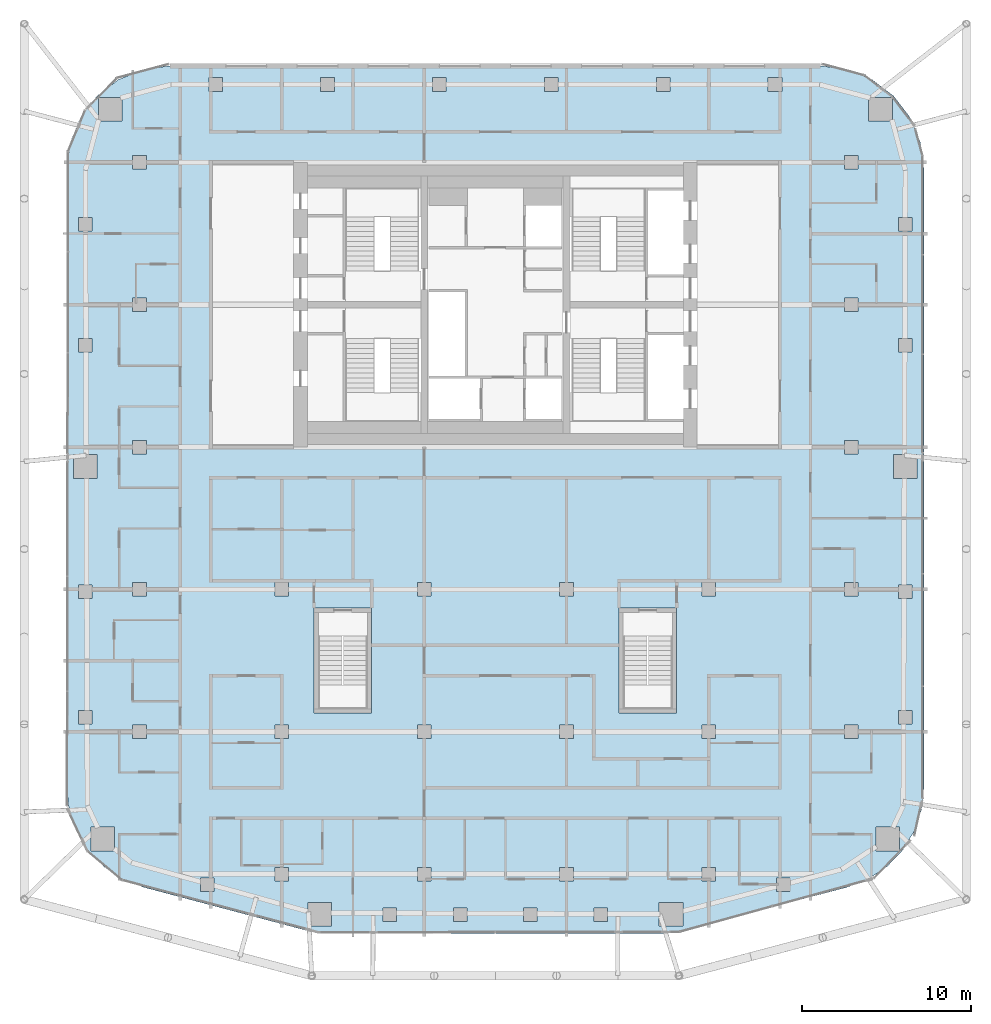
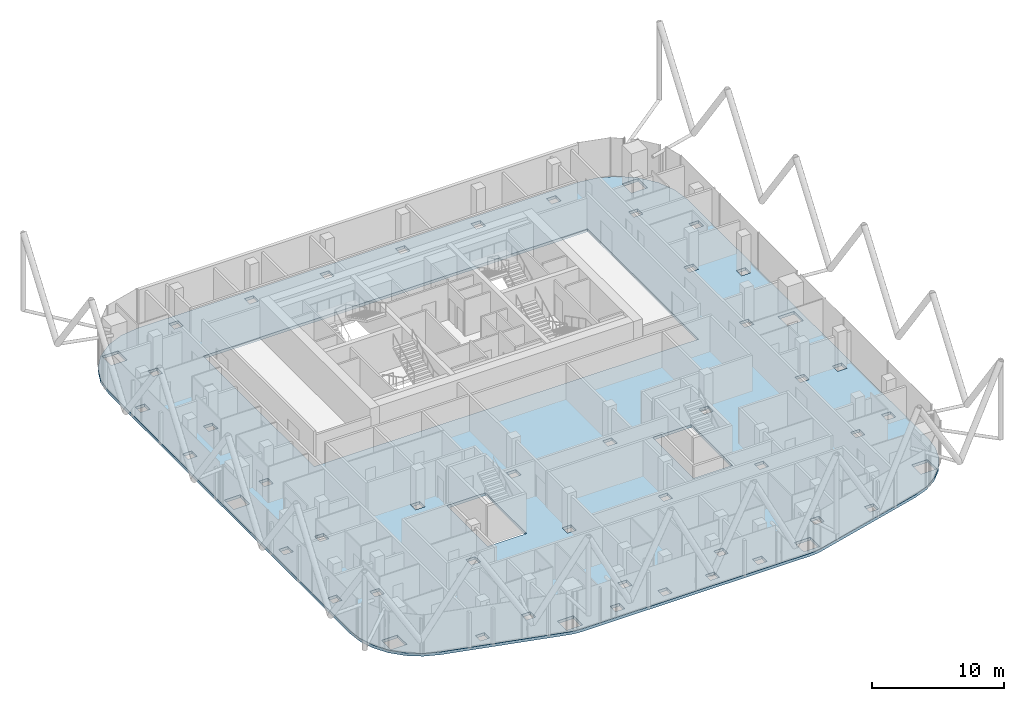
# One storey, part 17 of 31: 1 slab.
"""IFC4 building model written with IfcOpenShell, lengths in metres."""

from ifc_helpers import new_model, si_unit, direction, frame, origin, place, context, subcontext, project, spatial, polyline, outline, extrude, material, layer, layer_set, type_object, element, save


model = new_model("IFC4")

# Units and contexts
model_context = context("Model", 3, precision=1e-05, world=origin(), true_north=direction((0.0, 1.0)))
body_context = subcontext(model_context, "Body", "Model", "MODEL_VIEW")
ifc_project = project(units=[si_unit("LENGTHUNIT", "METRE"), si_unit("AREAUNIT", "SQUARE_METRE"), si_unit("VOLUMEUNIT", "CUBIC_METRE"), si_unit("PLANEANGLEUNIT", "RADIAN"), si_unit("MASSUNIT", "GRAM", prefix="KILO")], contexts=[model_context])

# Site, building, storey
site_placement = place(None, origin())
site = spatial("IfcSite", under=ifc_project, at=site_placement, CompositionType="ELEMENT")
building_placement = place(site_placement, origin())
building = spatial("IfcBuilding", under=site, at=building_placement, Name="Marenta Gate Hotel Tower", CompositionType="ELEMENT")
storey_placement = place(building_placement, frame((0.0, 0.0, 205.699951171875)))
storey = spatial("IfcBuildingStorey", under=building, at=storey_placement, Name="L47", CompositionType="ELEMENT", Elevation=205.699951171875)

# Slab
ifc_material = material(Name="Concrete C35", Category="concrete")
ifc_layer = layer(ifc_material, 0.260009765625)
ifc_layer_set = layer_set([ifc_layer], Name="Concrete C35")
slab_type = type_object("IfcSlabType", Name="Concrete floor slab 260", PredefinedType="FLOOR", material=ifc_layer_set)
slab_placement = place(storey_placement, frame((0.0, 0.0, -0.260009765625)))
element("IfcSlab", 1, at=slab_placement, inside=storey, type_object=slab_type, Name="L47-SL-1", PredefinedType="FLOOR", context=body_context, shape_type="SweptSolid", body=[
    extrude(outline(polyline([(-23.11376953125, -24.76416015625), (-24.035400390625, -23.803955078125), (-24.72705078125, -22.6669921875), (-25.155517578125, -21.4072265625), (-25.300048828125, -20.08984375), (-25.300048828125, 16.406494140625), (-25.093017578125, 17.97900390625), (-24.483642578125, 19.450439453125), (-23.513916015625, 20.7138671875), (-22.25048828125, 21.68359375), (-20.779052734375, 22.29296875), (-19.20654296875, 22.5), (19.20654296875, 22.5), (20.779052734375, 22.29296875), (22.25048828125, 21.68359375), (23.513916015625, 20.7138671875), (24.483642578125, 19.450439453125), (25.093017578125, 17.97900390625), (25.300048828125, 16.406494140625), (25.300048828125, -20.08984375), (25.155517578125, -21.4072265625), (24.72705078125, -22.6669921875), (24.035400390625, -23.803955078125), (23.11376953125, -24.76416015625), (22.005859375, -25.501220703125), (20.76953125, -25.978759765625), (11.026611328125, -28.563720703125), (10.508544921875, -28.665771484375), (9.981689453125, -28.699951171875), (-9.981689453125, -28.699951171875), (-10.508544921875, -28.665771484375), (-11.026611328125, -28.563720703125), (-20.76953125, -25.978759765625), (-22.005859375, -25.501220703125), (-23.11376953125, -24.76416015625)]), holes=[polyline([(-16.800048828125, 0.0), (16.800048828125, 0.0), (16.800048828125, 16.800048828125), (-16.800048828125, 16.800048828125), (-16.800048828125, 0.0)]), polyline([(-16.606689453125, -25.439208984375), (-17.40673828125, -25.439208984375), (-17.40673828125, -26.239013671875), (-16.606689453125, -26.239013671875), (-16.606689453125, -25.439208984375)]), polyline([(-12.199951171875, -25.60009765625), (-12.199951171875, -24.800048828125), (-13.0, -24.800048828125), (-13.0, -25.60009765625), (-12.199951171875, -25.60009765625)]), polyline([(-22.462890625, -23.8330078125), (-22.462890625, -22.43310546875), (-23.863037109375, -22.43310546875), (-23.863037109375, -23.8330078125), (-22.462890625, -23.8330078125)]), polyline([(-12.199951171875, -16.39990234375), (-13.0, -16.39990234375), (-13.0, -17.199951171875), (-12.199951171875, -17.199951171875), (-12.199951171875, -16.39990234375)]), polyline([(-20.60009765625, -17.199951171875), (-20.60009765625, -16.39990234375), (-21.39990234375, -16.39990234375), (-21.39990234375, -17.199951171875), (-20.60009765625, -17.199951171875)]), polyline([(-23.800048828125, -16.351806640625), (-23.800048828125, -15.552001953125), (-24.60009765625, -15.552001953125), (-24.60009765625, -16.351806640625), (-23.800048828125, -16.351806640625)]), polyline([(-23.800048828125, -8.15087890625), (-24.60009765625, -8.15087890625), (-24.60009765625, -8.950927734375), (-23.800048828125, -8.950927734375), (-23.800048828125, -8.15087890625)]), polyline([(-12.199951171875, -8.800048828125), (-12.199951171875, -8.0), (-13.0, -8.0), (-13.0, -8.800048828125), (-12.199951171875, -8.800048828125)]), polyline([(-20.60009765625, -8.800048828125), (-20.60009765625, -8.0), (-21.39990234375, -8.0), (-21.39990234375, -8.800048828125), (-20.60009765625, -8.800048828125)]), polyline([(-23.5, -0.449951171875), (-24.89990234375, -0.449951171875), (-24.89990234375, -1.85009765625), (-23.5, -1.85009765625), (-23.5, -0.449951171875)]), polyline([(-20.60009765625, -0.39990234375), (-20.60009765625, 0.39990234375), (-21.39990234375, 0.39990234375), (-21.39990234375, -0.39990234375), (-20.60009765625, -0.39990234375)]), polyline([(-23.800048828125, 5.603271484375), (-23.800048828125, 6.4033203125), (-24.60009765625, 6.4033203125), (-24.60009765625, 5.603271484375), (-23.800048828125, 5.603271484375)]), polyline([(-20.60009765625, 8.800048828125), (-21.39990234375, 8.800048828125), (-21.39990234375, 8.0), (-20.60009765625, 8.0), (-20.60009765625, 8.800048828125)]), polyline([(-23.800048828125, 12.75634765625), (-23.800048828125, 13.556396484375), (-24.60009765625, 13.556396484375), (-24.60009765625, 12.75634765625), (-23.800048828125, 12.75634765625)]), polyline([(-20.60009765625, 16.39990234375), (-20.60009765625, 17.199951171875), (-21.39990234375, 17.199951171875), (-21.39990234375, 16.39990234375), (-20.60009765625, 16.39990234375)]), polyline([(-22.035400390625, 20.635498046875), (-23.435546875, 20.635498046875), (-23.435546875, 19.235595703125), (-22.035400390625, 19.235595703125), (-22.035400390625, 20.635498046875)]), polyline([(-16.10693359375, 21.0), (-16.10693359375, 21.800048828125), (-16.906982421875, 21.800048828125), (-16.906982421875, 21.0), (-16.10693359375, 21.0)]), polyline([(-5.820068359375, -28.0), (-5.820068359375, -27.199951171875), (-6.6201171875, -27.199951171875), (-6.6201171875, -28.0), (-5.820068359375, -28.0)]), polyline([(6.6201171875, -27.199951171875), (5.820068359375, -27.199951171875), (5.820068359375, -28.0), (6.6201171875, -28.0), (6.6201171875, -27.199951171875)]), polyline([(2.473388671875, -28.0), (2.473388671875, -27.199951171875), (1.67333984375, -27.199951171875), (1.67333984375, -28.0), (2.473388671875, -28.0)]), polyline([(-1.67333984375, -28.0), (-1.67333984375, -27.199951171875), (-2.473388671875, -27.199951171875), (-2.473388671875, -28.0), (-1.67333984375, -28.0)]), polyline([(-9.666259765625, -28.27490234375), (-9.666259765625, -26.874755859375), (-11.06640625, -26.874755859375), (-11.06640625, -28.27490234375), (-9.666259765625, -28.27490234375)]), polyline([(11.06640625, -28.27490234375), (11.06640625, -26.874755859375), (9.666259765625, -26.874755859375), (9.666259765625, -28.27490234375), (11.06640625, -28.27490234375)]), polyline([(13.0, -25.60009765625), (13.0, -24.800048828125), (12.199951171875, -24.800048828125), (12.199951171875, -25.60009765625), (13.0, -25.60009765625)]), polyline([(4.60009765625, -25.60009765625), (4.60009765625, -24.800048828125), (3.800048828125, -24.800048828125), (3.800048828125, -25.60009765625), (4.60009765625, -25.60009765625)]), polyline([(-3.800048828125, -24.800048828125), (-4.60009765625, -24.800048828125), (-4.60009765625, -25.60009765625), (-3.800048828125, -25.60009765625), (-3.800048828125, -24.800048828125)]), polyline([(4.60009765625, -17.199951171875), (4.60009765625, -16.39990234375), (3.800048828125, -16.39990234375), (3.800048828125, -17.199951171875), (4.60009765625, -17.199951171875)]), polyline([(-3.800048828125, -17.199951171875), (-3.800048828125, -16.39990234375), (-4.60009765625, -16.39990234375), (-4.60009765625, -17.199951171875), (-3.800048828125, -17.199951171875)]), polyline([(4.60009765625, -8.0), (3.800048828125, -8.0), (3.800048828125, -8.800048828125), (4.60009765625, -8.800048828125), (4.60009765625, -8.0)]), polyline([(-3.800048828125, -8.800048828125), (-3.800048828125, -8.0), (-4.60009765625, -8.0), (-4.60009765625, -8.800048828125), (-3.800048828125, -8.800048828125)]), polyline([(-2.9013671875, 21.0), (-2.9013671875, 21.800048828125), (-3.701416015625, 21.800048828125), (-3.701416015625, 21.0), (-2.9013671875, 21.0)]), polyline([(3.701416015625, 21.800048828125), (2.9013671875, 21.800048828125), (2.9013671875, 21.0), (3.701416015625, 21.0), (3.701416015625, 21.800048828125)]), polyline([(10.30419921875, 21.0), (10.30419921875, 21.800048828125), (9.504150390625, 21.800048828125), (9.504150390625, 21.0), (10.30419921875, 21.0)]), polyline([(-9.504150390625, 21.0), (-9.504150390625, 21.800048828125), (-10.30419921875, 21.800048828125), (-10.30419921875, 21.0), (-9.504150390625, 21.0)]), polyline([(17.40673828125, -25.439208984375), (16.606689453125, -25.439208984375), (16.606689453125, -26.239013671875), (17.40673828125, -26.239013671875), (17.40673828125, -25.439208984375)]), polyline([(23.863037109375, -23.8330078125), (23.863037109375, -22.43310546875), (22.462890625, -22.43310546875), (22.462890625, -23.8330078125), (23.863037109375, -23.8330078125)]), polyline([(13.0, -17.199951171875), (13.0, -16.39990234375), (12.199951171875, -16.39990234375), (12.199951171875, -17.199951171875), (13.0, -17.199951171875)]), polyline([(21.39990234375, -16.39990234375), (20.60009765625, -16.39990234375), (20.60009765625, -17.199951171875), (21.39990234375, -17.199951171875), (21.39990234375, -16.39990234375)]), polyline([(24.60009765625, -16.351806640625), (24.60009765625, -15.552001953125), (23.800048828125, -15.552001953125), (23.800048828125, -16.351806640625), (24.60009765625, -16.351806640625)]), polyline([(24.60009765625, -8.950927734375), (24.60009765625, -8.15087890625), (23.800048828125, -8.15087890625), (23.800048828125, -8.950927734375), (24.60009765625, -8.950927734375)]), polyline([(13.0, -8.0), (12.199951171875, -8.0), (12.199951171875, -8.800048828125), (13.0, -8.800048828125), (13.0, -8.0)]), polyline([(21.39990234375, -8.800048828125), (21.39990234375, -8.0), (20.60009765625, -8.0), (20.60009765625, -8.800048828125), (21.39990234375, -8.800048828125)]), polyline([(24.89990234375, -1.85009765625), (24.89990234375, -0.449951171875), (23.5, -0.449951171875), (23.5, -1.85009765625), (24.89990234375, -1.85009765625)]), polyline([(21.39990234375, 0.39990234375), (20.60009765625, 0.39990234375), (20.60009765625, -0.39990234375), (21.39990234375, -0.39990234375), (21.39990234375, 0.39990234375)]), polyline([(24.60009765625, 5.603271484375), (24.60009765625, 6.4033203125), (23.800048828125, 6.4033203125), (23.800048828125, 5.603271484375), (24.60009765625, 5.603271484375)]), polyline([(21.39990234375, 8.0), (21.39990234375, 8.800048828125), (20.60009765625, 8.800048828125), (20.60009765625, 8.0), (21.39990234375, 8.0)]), polyline([(24.60009765625, 12.75634765625), (24.60009765625, 13.556396484375), (23.800048828125, 13.556396484375), (23.800048828125, 12.75634765625), (24.60009765625, 12.75634765625)]), polyline([(21.39990234375, 16.39990234375), (21.39990234375, 17.199951171875), (20.60009765625, 17.199951171875), (20.60009765625, 16.39990234375), (21.39990234375, 16.39990234375)]), polyline([(23.435546875, 19.235595703125), (23.435546875, 20.635498046875), (22.035400390625, 20.635498046875), (22.035400390625, 19.235595703125), (23.435546875, 19.235595703125)]), polyline([(16.906982421875, 21.0), (16.906982421875, 21.800048828125), (16.10693359375, 21.800048828125), (16.10693359375, 21.0), (16.906982421875, 21.0)]), polyline([(-7.300048828125, -15.699951171875), (-7.300048828125, -9.5), (-10.699951171875, -9.5), (-10.699951171875, -15.699951171875), (-7.300048828125, -15.699951171875)]), polyline([(10.699951171875, -15.699951171875), (10.699951171875, -9.5), (7.300048828125, -9.5), (7.300048828125, -15.699951171875), (10.699951171875, -15.699951171875)])]), origin(), (0.0, 0.0, 1.0), 0.260009765625),
])

save(model, "model.ifc")
